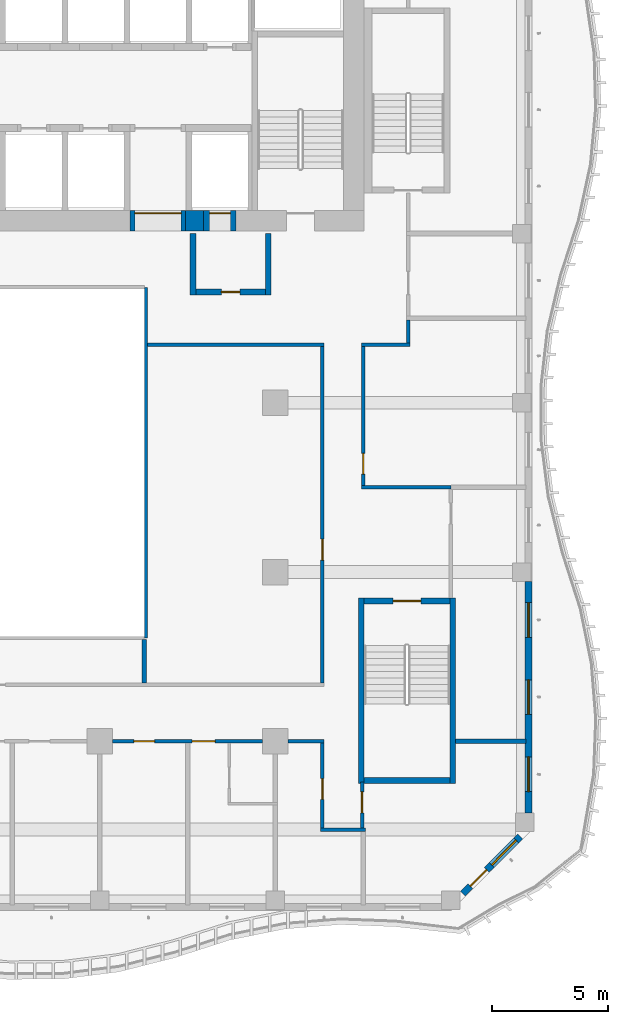
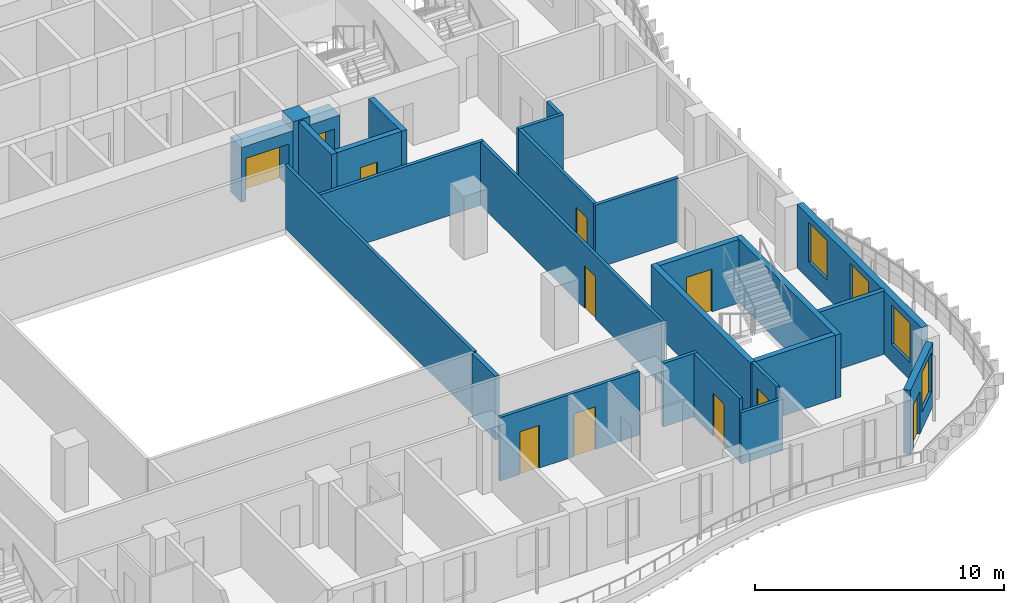
# One storey, part 5 of 21: 26 walls, 11 doors, 4 windows, 15 openings.
"""IFC4 building model written with IfcOpenShell, lengths in metres."""

from ifc_helpers import new_model, si_unit, direction, frame, frame_2d, origin, place, context, subcontext, project, spatial, rectangle, extrude, source, transform, mapped, material, layer, layer_set, type_object, element, fill, save


model = new_model("IFC4")

# Units and contexts
model_context = context("Model", 3, precision=1e-05, world=origin(), true_north=direction((0.0, 1.0)))
body_context = subcontext(model_context, "Body", "Model", "MODEL_VIEW")
ifc_project = project(units=[si_unit("LENGTHUNIT", "METRE"), si_unit("AREAUNIT", "SQUARE_METRE"), si_unit("VOLUMEUNIT", "CUBIC_METRE"), si_unit("PLANEANGLEUNIT", "RADIAN"), si_unit("MASSUNIT", "GRAM", prefix="KILO")], contexts=[model_context])

# Site, building, storey
site_placement = place(None, origin())
site = spatial("IfcSite", under=ifc_project, at=site_placement, CompositionType="ELEMENT")
building_placement = place(site_placement, origin())
building = spatial("IfcBuilding", under=site, at=building_placement, Name="Kilnfold Tower and Market Hall", CompositionType="ELEMENT")
storey_placement = place(building_placement, frame((0.0, 0.0, 147.300048828125)))
storey = spatial("IfcBuildingStorey", under=building, at=storey_placement, Name="L33", CompositionType="ELEMENT", Elevation=147.300048828125)

# Wall
ifc_material_1 = material(Name="Fire-resisting glazed screen")
ifc_layer_1 = layer(ifc_material_1, 0.14990234375)
ifc_layer_set_1 = layer_set([ifc_layer_1], Name="Fire-resisting glazed screen")
wall_type_1 = type_object("IfcWallType", Name="WALL ATRIUM 150", PredefinedType="PARTITIONING", material=ifc_layer_set_1)
wall_1_placement = place(storey_placement, frame((8.574951171875, 5.675048828125, 0.0), z_axis=(0.0, 0.0, 1.0), x_axis=(0.0, -1.0, 0.0)))
element("IfcWall", 1, at=wall_1_placement, inside=storey, type_object=wall_type_1, Name="Partition LY21.131", PredefinedType="PARTITIONING", context=body_context, shape_type="SweptSolid", body=[
    extrude(rectangle(XDim=15.150146484375, YDim=0.14990234375, at=frame_2d((7.5751953125, 0.0))), origin(), (0.0, 0.0, 1.0), 3.119873046875),
])

# Wall, openings, doors
ifc_material_2 = material(Name="Gypsum board on steel studs", Category="steel")
ifc_layer_2 = layer(ifc_material_2, 0.14990234375)
ifc_layer_set_2 = layer_set([ifc_layer_2], Name="Gypsum board on steel studs")
wall_type_2 = type_object("IfcWallType", Name="WALL CORRIDOR 150", PredefinedType="PARTITIONING", material=ifc_layer_set_2)
wall_2_placement = place(storey_placement, frame((7.133056640625, -13.93798828125, 0.0), z_axis=(0.0, 0.0, 1.0), x_axis=(1.0, 0.0, 0.0)))
wall_2 = element("IfcWall", 2, at=wall_2_placement, inside=storey, type_object=wall_type_2, Name="Partition LY21.5", PredefinedType="PARTITIONING", context=body_context, shape_type="SweptSolid", body=[
    extrude(rectangle(XDim=6.48388671875, YDim=0.14990234375, at=frame_2d((3.241943359375, 0.0))), origin(), (0.0, 0.0, 1.0), 3.119873046875),
])
opening_1_placement = place(wall_2_placement, frame((0.9189453125, 0.0, 0.0)))
opening_1 = element("IfcOpeningElement", 3, at=opening_1_placement, cuts=wall_2, Name="Opening D2", PredefinedType="OPENING", context=body_context, shape_type="SweptSolid", body=[
    extrude(rectangle(XDim=0.89990234375, YDim=2.10009765625, at=frame_2d((0.449951171875, 1.050048828125))), frame((0.0, 0.0849609375, 0.0), z_axis=(0.0, -1.0, 0.0), x_axis=(1.0, 0.0, 0.0)), (0.0, 0.0, 1.0), 0.169921875),
])
opening_2_placement = place(wall_2_placement, frame((3.431884765625, 0.0, 0.0)))
opening_2 = element("IfcOpeningElement", 4, at=opening_2_placement, cuts=wall_2, Name="Opening D1", PredefinedType="OPENING", context=body_context, shape_type="SweptSolid", body=[
    extrude(rectangle(XDim=1.0, YDim=2.10009765625, at=frame_2d((0.5, 1.050048828125))), frame((0.0, 0.0849609375, 0.0), z_axis=(0.0, -1.0, 0.0), x_axis=(1.0, 0.0, 0.0)), (0.0, 0.0, 1.0), 0.169921875),
])
ifc_material_3 = material(Name="Timber veneer door leaf in steel frame", Category="steel")
door_type_1 = type_object("IfcDoorType", Name="DOOR ENTRY 1000 X2100", OperationType="NOTDEFINED", PredefinedType="DOOR", material=ifc_material_3)
door_1_placement = place(opening_2_placement, origin())
door_1 = element("IfcDoor", 5, at=door_1_placement, inside=storey, type_object=door_type_1, Name="Door D1", OperationType="SINGLE_SWING_LEFT", OverallHeight=2.10009765625, OverallWidth=1.0, PredefinedType="DOOR", context=body_context, shape_type="SweptSolid", body=[
    extrude(rectangle(XDim=1.0, YDim=2.10009765625, at=frame_2d((0.5, 1.050048828125))), frame((0.0, 0.02490234375, 0.0), z_axis=(0.0, -1.0, 0.0), x_axis=(1.0, 0.0, 0.0)), (0.0, 0.0, 1.0), 0.050048828125),
])
fill(opening_2, door_1)
ifc_material_4 = material(Name="Timber veneer door leaf in steel frame", Category="steel")
door_type_2 = type_object("IfcDoorType", Name="DOOR ROOM 900 X2100", OperationType="NOTDEFINED", PredefinedType="DOOR", material=ifc_material_4)
door_2_placement = place(opening_1_placement, origin())
door_2 = element("IfcDoor", 6, at=door_2_placement, inside=storey, type_object=door_type_2, Name="Door D2", OperationType="SINGLE_SWING_RIGHT", OverallHeight=2.10009765625, OverallWidth=0.89990234375, PredefinedType="DOOR", context=body_context, shape_type="SweptSolid", body=[
    extrude(rectangle(XDim=0.89990234375, YDim=2.10009765625, at=frame_2d((0.449951171875, 1.050048828125))), frame((0.0, 0.02490234375, 0.0), z_axis=(0.0, -1.0, 0.0), x_axis=(1.0, 0.0, 0.0)), (0.0, 0.0, 1.0), 0.050048828125),
])
fill(opening_1, door_2)

# Wall
wall_3_placement = place(storey_placement, frame((16.125, -17.75, 0.0), z_axis=(0.0, 0.0, 1.0), x_axis=(1.0, 0.0, 0.0)))
element("IfcWall", 7, at=wall_3_placement, inside=storey, type_object=wall_type_2, Name="Partition LY21.6", PredefinedType="PARTITIONING", context=body_context, shape_type="SweptSolid", body=[
    extrude(rectangle(XDim=1.93408203125, YDim=0.14990234375, at=frame_2d((0.967041015625, 0.0))), origin(), (0.0, 0.0, 1.0), 2.52001953125),
])

# Wall, opening, door
wall_4_placement = place(storey_placement, frame((16.199951171875, -17.675048828125, 0.0), z_axis=(0.0, 0.0, 1.0), x_axis=(0.0, 1.0, 0.0)))
wall_4 = element("IfcWall", 8, at=wall_4_placement, inside=storey, type_object=wall_type_2, Name="Partition LY21.7", PredefinedType="PARTITIONING", context=body_context, shape_type="SweptSolid", body=[
    extrude(rectangle(XDim=3.662109375, YDim=0.14990234375, at=frame_2d((1.8310546875, 0.0))), origin(), (0.0, 0.0, 1.0), 3.119873046875),
])
opening_3_placement = place(wall_4_placement, frame((1.22705078125, 0.0, 0.0)))
opening_3 = element("IfcOpeningElement", 9, at=opening_3_placement, cuts=wall_4, Name="Opening D2", PredefinedType="OPENING", context=body_context, shape_type="SweptSolid", body=[
    extrude(rectangle(XDim=0.89990234375, YDim=2.10009765625, at=frame_2d((0.449951171875, 1.050048828125))), frame((0.0, 0.0849609375, 0.0), z_axis=(0.0, -1.0, 0.0), x_axis=(1.0, 0.0, 0.0)), (0.0, 0.0, 1.0), 0.169921875),
])
door_3_placement = place(opening_3_placement, origin())
door_3 = element("IfcDoor", 10, at=door_3_placement, inside=storey, type_object=door_type_2, Name="Door D2", OperationType="SINGLE_SWING_RIGHT", OverallHeight=2.10009765625, OverallWidth=0.89990234375, PredefinedType="DOOR", context=body_context, shape_type="SweptSolid", body=[
    extrude(rectangle(XDim=0.89990234375, YDim=2.10009765625, at=frame_2d((0.449951171875, 1.050048828125))), frame((0.0, 0.02490234375, 0.0), z_axis=(0.0, -1.0, 0.0), x_axis=(1.0, 0.0, 0.0)), (0.0, 0.0, 1.0), 0.050048828125),
])
fill(opening_3, door_3)

# Wall
wall_5_placement = place(storey_placement, frame((14.717041015625, -13.93798828125, 0.0), z_axis=(0.0, 0.0, 1.0), x_axis=(1.0, 0.0, 0.0)))
element("IfcWall", 11, at=wall_5_placement, inside=storey, type_object=wall_type_2, Name="Partition LY21.8", PredefinedType="PARTITIONING", context=body_context, shape_type="SweptSolid", body=[
    extrude(rectangle(XDim=1.557861328125, YDim=0.14990234375, at=frame_2d((0.77880859375, 0.0))), origin(), (0.0, 0.0, 1.0), 3.119873046875),
])

# Wall, opening, door
wall_6_placement = place(storey_placement, frame((17.908935546875, -17.675048828125, 0.0), z_axis=(0.0, 0.0, 1.0), x_axis=(0.0, 1.0, 0.0)))
wall_6 = element("IfcWall", 12, at=wall_6_placement, inside=storey, type_object=wall_type_2, Name="Partition LY21.9", PredefinedType="PARTITIONING", context=body_context, shape_type="SweptSolid", body=[
    extrude(rectangle(XDim=1.97509765625, YDim=0.14990234375, at=frame_2d((0.987548828125, 0.0))), origin(), (0.0, 0.0, 1.0), 3.119873046875),
])
opening_4_placement = place(wall_6_placement, frame((0.64990234375, 0.0, 0.0)))
opening_4 = element("IfcOpeningElement", 13, at=opening_4_placement, cuts=wall_6, Name="Opening D2", PredefinedType="OPENING", context=body_context, shape_type="SweptSolid", body=[
    extrude(rectangle(XDim=0.89990234375, YDim=2.10009765625, at=frame_2d((0.449951171875, 1.050048828125))), frame((0.0, 0.0849609375, 0.0), z_axis=(0.0, -1.0, 0.0), x_axis=(1.0, 0.0, 0.0)), (0.0, 0.0, 1.0), 0.169921875),
])
door_4_placement = place(opening_4_placement, origin())
door_4 = element("IfcDoor", 14, at=door_4_placement, inside=storey, type_object=door_type_2, Name="Door D2", OperationType="SINGLE_SWING_LEFT", OverallHeight=2.10009765625, OverallWidth=0.89990234375, PredefinedType="DOOR", context=body_context, shape_type="SweptSolid", body=[
    extrude(rectangle(XDim=0.89990234375, YDim=2.10009765625, at=frame_2d((0.449951171875, 1.050048828125))), frame((0.0, 0.02490234375, 0.0), z_axis=(0.0, -1.0, 0.0), x_axis=(1.0, 0.0, 0.0)), (0.0, 0.0, 1.0), 0.050048828125),
])
fill(opening_4, door_4)

# Walls
wall_7_placement = place(storey_placement, frame((19.89990234375, 3.27490234375, 0.0), z_axis=(0.0, 0.0, 1.0), x_axis=(0.0, 1.0, 0.0)))
element("IfcWall", 15, at=wall_7_placement, inside=storey, type_object=wall_type_2, Name="Partition LY21.31", PredefinedType="PARTITIONING", context=body_context, shape_type="SweptSolid", body=[
    extrude(rectangle(XDim=0.97900390625, YDim=0.14990234375, at=frame_2d((0.489501953125, 0.0))), origin(), (0.0, 0.0, 1.0), 3.119873046875),
])
wall_8_placement = place(storey_placement, frame((17.884033203125, 3.199951171875, 0.0), z_axis=(0.0, 0.0, 1.0), x_axis=(1.0, 0.0, 0.0)))
element("IfcWall", 16, at=wall_8_placement, inside=storey, type_object=wall_type_2, Name="Partition LY21.32", PredefinedType="PARTITIONING", context=body_context, shape_type="SweptSolid", body=[
    extrude(rectangle(XDim=2.091064453125, YDim=0.14990234375, at=frame_2d((1.04541015625, 0.0))), origin(), (0.0, 0.0, 1.0), 3.119873046875),
])

# Wall, opening, door
wall_9_placement = place(storey_placement, frame((17.958984375, -2.89404296875, 0.0), z_axis=(0.0, 0.0, 1.0), x_axis=(0.0, 1.0, 0.0)))
wall_9 = element("IfcWall", 17, at=wall_9_placement, inside=storey, type_object=wall_type_2, Name="Partition LY21.33", PredefinedType="PARTITIONING", context=body_context, shape_type="SweptSolid", body=[
    extrude(rectangle(XDim=6.01904296875, YDim=0.14990234375, at=frame_2d((3.009521484375, 0.0))), origin(), (0.0, 0.0, 1.0), 3.119873046875),
])
opening_5_placement = place(wall_9_placement, frame((0.5009765625, 0.0, 0.0)))
opening_5 = element("IfcOpeningElement", 18, at=opening_5_placement, cuts=wall_9, Name="Opening D2", PredefinedType="OPENING", context=body_context, shape_type="SweptSolid", body=[
    extrude(rectangle(XDim=0.89990234375, YDim=2.10009765625, at=frame_2d((0.449951171875, 1.050048828125))), frame((0.0, 0.0849609375, 0.0), z_axis=(0.0, -1.0, 0.0), x_axis=(1.0, 0.0, 0.0)), (0.0, 0.0, 1.0), 0.169921875),
])
door_5_placement = place(opening_5_placement, origin())
door_5 = element("IfcDoor", 19, at=door_5_placement, inside=storey, type_object=door_type_2, Name="Door D2", OperationType="SINGLE_SWING_RIGHT", OverallHeight=2.10009765625, OverallWidth=0.89990234375, PredefinedType="DOOR", context=body_context, shape_type="SweptSolid", body=[
    extrude(rectangle(XDim=0.89990234375, YDim=2.10009765625, at=frame_2d((0.449951171875, 1.050048828125))), frame((0.0, 0.02490234375, 0.0), z_axis=(0.0, -1.0, 0.0), x_axis=(1.0, 0.0, 0.0)), (0.0, 0.0, 1.0), 0.050048828125),
])
fill(opening_5, door_5)

# Wall
wall_10_placement = place(storey_placement, frame((21.7509765625, -2.968994140625, 0.0), z_axis=(0.0, 0.0, 1.0), x_axis=(-1.0, 0.0, 0.0)))
element("IfcWall", 20, at=wall_10_placement, inside=storey, type_object=wall_type_2, Name="Partition LY21.34", PredefinedType="PARTITIONING", context=body_context, shape_type="SweptSolid", body=[
    extrude(rectangle(XDim=3.866943359375, YDim=0.14990234375, at=frame_2d((1.93359375, 0.0))), origin(), (0.0, 0.0, 1.0), 3.119873046875),
])

# Wall, opening, door
wall_11_placement = place(storey_placement, frame((16.199951171875, -11.425048828125, 0.0), z_axis=(0.0, 0.0, 1.0), x_axis=(0.0, 1.0, 0.0)))
wall_11 = element("IfcWall", 21, at=wall_11_placement, inside=storey, type_object=wall_type_2, Name="Partition LY21.43", PredefinedType="PARTITIONING", context=body_context, shape_type="SweptSolid", body=[
    extrude(rectangle(XDim=14.550048828125, YDim=0.14990234375, at=frame_2d((7.27490234375, 0.0))), origin(), (0.0, 0.0, 1.0), 3.119873046875),
])
opening_6_placement = place(wall_11_placement, frame((5.319091796875, 0.0, 0.0)))
opening_6 = element("IfcOpeningElement", 22, at=opening_6_placement, cuts=wall_11, Name="Opening D2", PredefinedType="OPENING", context=body_context, shape_type="SweptSolid", body=[
    extrude(rectangle(XDim=0.89990234375, YDim=2.10009765625, at=frame_2d((0.449951171875, 1.050048828125))), frame((0.0, 0.0849609375, 0.0), z_axis=(0.0, -1.0, 0.0), x_axis=(1.0, 0.0, 0.0)), (0.0, 0.0, 1.0), 0.169921875),
])
door_6_placement = place(opening_6_placement, origin())
door_6 = element("IfcDoor", 23, at=door_6_placement, inside=storey, type_object=door_type_2, Name="Door D2", OperationType="SINGLE_SWING_RIGHT", OverallHeight=2.10009765625, OverallWidth=0.89990234375, PredefinedType="DOOR", context=body_context, shape_type="SweptSolid", body=[
    extrude(rectangle(XDim=0.89990234375, YDim=2.10009765625, at=frame_2d((0.449951171875, 1.050048828125))), frame((0.0, 0.02490234375, 0.0), z_axis=(0.0, -1.0, 0.0), x_axis=(1.0, 0.0, 0.0)), (0.0, 0.0, 1.0), 0.050048828125),
])
fill(opening_6, door_6)

# Walls
wall_12_placement = place(storey_placement, frame((8.64990234375, 3.199951171875, 0.0), z_axis=(0.0, 0.0, 1.0), x_axis=(1.0, 0.0, 0.0)))
element("IfcWall", 24, at=wall_12_placement, inside=storey, type_object=wall_type_2, Name="Partition LY21.44", PredefinedType="PARTITIONING", context=body_context, shape_type="SweptSolid", body=[
    extrude(rectangle(XDim=7.625, YDim=0.14990234375, at=frame_2d((3.8125, 0.0))), origin(), (0.0, 0.0, 1.0), 3.119873046875),
])
ifc_material_5 = material(Name="Gypsum board on steel studs", Category="steel")
ifc_layer_3 = layer(ifc_material_5, 0.199951171875)
ifc_layer_set_3 = layer_set([ifc_layer_3], Name="Gypsum board on steel studs")
wall_type_3 = type_object("IfcWallType", Name="WALL PARTY 200", PredefinedType="PARTITIONING", material=ifc_layer_set_3)
wall_13_placement = place(storey_placement, frame((25.0, -13.93798828125, 0.0), z_axis=(0.0, 0.0, 1.0), x_axis=(-1.0, 0.0, 0.0)))
element("IfcWall", 25, at=wall_13_placement, inside=storey, type_object=wall_type_3, Name="Partition LY21.64", PredefinedType="PARTITIONING", context=body_context, shape_type="SweptSolid", body=[
    extrude(rectangle(XDim=3.050048828125, YDim=0.199951171875, at=frame_2d((1.52490234375, 0.0))), origin(), (0.0, 0.0, 1.0), 3.119873046875),
])
wall_14_placement = place(storey_placement, frame((8.5, -11.423095703125, 0.0), z_axis=(0.0, 0.0, 1.0), x_axis=(0.0, 1.0, 0.0)))
element("IfcWall", 26, at=wall_14_placement, inside=storey, type_object=wall_type_3, Name="Partition LY21.127", PredefinedType="PARTITIONING", context=body_context, shape_type="SweptSolid", body=[
    extrude(rectangle(XDim=1.873046875, YDim=0.199951171875, at=frame_2d((0.9365234375, 0.0))), origin(), (0.0, 0.0, 1.0), 3.119873046875),
])
ifc_material_6 = material(Name="Concrete C70", Category="concrete")
ifc_layer_4 = layer(ifc_material_6, 0.89990234375)
ifc_layer_set_4 = layer_set([ifc_layer_4], Name="Concrete C70")
wall_type_4 = type_object("IfcWallType", Name="CORE WALL 900 C70", PredefinedType="SHEAR", material=ifc_layer_set_4)
shared_shape_1 = source(origin(), body_context, "Body", "SweptSolid", [
    extrude(rectangle(XDim=0.780029296875, YDim=0.89990234375, at=frame_2d((0.39013671875, 0.0))), origin(), (0.0, 0.0, 1.0), 3.119873046875),
])
wall_15_placement = place(storey_placement, frame((10.2900390625, 8.550048828125, 0.0), z_axis=(0.0, 0.0, 1.0), x_axis=(1.0, 0.0, 0.0)))
element("IfcWall", 27, at=wall_15_placement, inside=storey, type_object=wall_type_4, Name="Core outer wall south", PredefinedType="SHEAR", context=body_context, shape_type="MappedRepresentation", body=[
    mapped(shared_shape_1, transform((0.0, 0.0, 0.0))),
])
ifc_material_7 = material(Name="Concrete C70", Category="concrete")
ifc_layer_5 = layer(ifc_material_7, 0.25)
ifc_layer_set_5 = layer_set([ifc_layer_5], Name="Concrete C70")
wall_type_5 = type_object("IfcWallType", Name="CORE WALL 250 C70", PredefinedType="SHEAR", material=ifc_layer_set_5)
shared_shape_2 = source(origin(), body_context, "Body", "SweptSolid", [
    extrude(rectangle(XDim=3.699951171875, YDim=0.25, at=frame_2d((1.85009765625, 0.0))), origin(), (0.0, 0.0, 1.0), 3.119873046875),
])
wall_16_placement = place(storey_placement, frame((18.0, -15.625, 0.0), z_axis=(0.0, 0.0, 1.0), x_axis=(1.0, 0.0, 0.0)))
element("IfcWall", 28, at=wall_16_placement, inside=storey, type_object=wall_type_5, Name="Stair enclosure ST4", PredefinedType="SHEAR", context=body_context, shape_type="MappedRepresentation", body=[
    mapped(shared_shape_2, transform((0.0, 0.0, 0.0))),
])

# Wall, opening, door
wall_17_placement = place(storey_placement, frame((18.0, -7.875, 0.0), z_axis=(0.0, 0.0, 1.0), x_axis=(1.0, 0.0, 0.0)))
wall_17 = element("IfcWall", 29, at=wall_17_placement, inside=storey, type_object=wall_type_5, Name="Stair enclosure ST4", PredefinedType="SHEAR", context=body_context, shape_type="MappedRepresentation", body=[
    mapped(shared_shape_2, transform((0.0, 0.0, 0.0))),
])
opening_7_placement = place(wall_17_placement, frame((1.25, 0.0, 0.0)))
opening_7 = element("IfcOpeningElement", 30, at=opening_7_placement, cuts=wall_17, Name="Opening SD1", PredefinedType="OPENING", context=body_context, shape_type="SweptSolid", body=[
    extrude(rectangle(XDim=1.199951171875, YDim=2.10009765625, at=frame_2d((0.60009765625, 1.050048828125))), frame((0.0, 0.135009765625, 0.0), z_axis=(0.0, -1.0, 0.0), x_axis=(1.0, 0.0, 0.0)), (0.0, 0.0, 1.0), 0.27001953125),
])
ifc_material_8 = material(Name="Steel door set with fire-resisting leaf", Category="steel")
door_type_3 = type_object("IfcDoorType", Name="STAIR FLOOR DOOR 1200X2100", OperationType="NOTDEFINED", PredefinedType="DOOR", material=ifc_material_8)
door_7_placement = place(opening_7_placement, origin())
door_7 = element("IfcDoor", 31, at=door_7_placement, inside=storey, type_object=door_type_3, Name="Exit stair ST4 door", OperationType="DOUBLE_DOOR_SINGLE_SWING", OverallHeight=2.10009765625, OverallWidth=1.199951171875, PredefinedType="DOOR", context=body_context, shape_type="SweptSolid", body=[
    extrude(rectangle(XDim=1.199951171875, YDim=2.10009765625, at=frame_2d((0.60009765625, 1.050048828125))), frame((0.0, 0.02490234375, 0.0), z_axis=(0.0, -1.0, 0.0), x_axis=(1.0, 0.0, 0.0)), (0.0, 0.0, 1.0), 0.050048828125),
])
fill(opening_7, door_7)

# Walls
shared_shape_3 = source(origin(), body_context, "Body", "SweptSolid", [
    extrude(rectangle(XDim=8.0, YDim=0.25, at=frame_2d((4.0, 0.0))), origin(), (0.0, 0.0, 1.0), 3.119873046875),
])
for number, where, z_axis, x_axis, name in (
    (32, (17.875, -15.75, 0.0), (0.0, 0.0, 1.0), (0.0, 1.0, 0.0), "Stair enclosure ST4"),
    (33, (21.824951171875, -15.75, 0.0), (0.0, 0.0, 1.0), (0.0, 1.0, 0.0), "Stair enclosure ST4"),
):
    element("IfcWall", number, at=place(storey_placement, frame(where, z_axis=z_axis, x_axis=x_axis)), inside=storey, type_object=wall_type_5, Name=name, PredefinedType="SHEAR", context=body_context, shape_type="MappedRepresentation", body=[
        mapped(shared_shape_3, transform((0.0, 0.0, 0.0))),
    ])

# Wall, openings, door, window
ifc_material_9 = material(Name="Precast concrete C50/60", Category="concrete")
ifc_layer_6 = layer(ifc_material_9, 0.300048828125)
ifc_layer_set_6 = layer_set([ifc_layer_6], Name="Precast concrete C50/60")
wall_type_6 = type_object("IfcWallType", Name="PRECAST WALL 300", PredefinedType="SOLIDWALL", material=ifc_layer_set_6)
shared_shape_4 = source(origin(), body_context, "Body", "SweptSolid", [
    extrude(rectangle(XDim=3.500244140625, YDim=0.300048828125, at=frame_2d((1.75, 0.0))), origin(), (0.0, 0.0, 1.0), 3.119873046875),
])
wall_18_placement = place(storey_placement, frame((22.268798828125, -20.518798828125, 0.0), z_axis=(0.0, 0.0, 1.0), x_axis=(0.707141656123, 0.70707190453, 0.0)))
wall_18 = element("IfcWall", 34, at=wall_18_placement, inside=storey, type_object=wall_type_6, Name="External wall L33 SE", PredefinedType="SOLIDWALL", context=body_context, shape_type="MappedRepresentation", body=[
    mapped(shared_shape_4, transform((0.0, 0.0, 0.0))),
])
opening_8_placement = place(wall_18_placement, frame((1.75, 0.0, 0.85009765625)))
opening_8 = element("IfcOpeningElement", 35, at=opening_8_placement, cuts=wall_18, Name="Opening W4", PredefinedType="OPENING", context=body_context, shape_type="SweptSolid", body=[
    extrude(rectangle(XDim=1.5, YDim=1.949951171875, at=frame_2d((0.75, 0.97509765625))), frame((0.0, 0.16015625, 0.0), z_axis=(0.0, -1.0, 0.0), x_axis=(1.0, 0.0, 0.0)), (0.0, 0.0, 1.0), 0.320068359375),
])
opening_9_placement = place(wall_18_placement, frame((0.449951171875, 0.0, 0.0)))
opening_9 = element("IfcOpeningElement", 36, at=opening_9_placement, cuts=wall_18, Name="Opening BD1", PredefinedType="OPENING", context=body_context, shape_type="SweptSolid", body=[
    extrude(rectangle(XDim=1.0, YDim=2.10009765625, at=frame_2d((0.5, 1.050048828125))), frame((0.0, 0.16015625, 0.0), z_axis=(0.0, -1.0, 0.0), x_axis=(1.0, 0.0, 0.0)), (0.0, 0.0, 1.0), 0.320068359375),
])
ifc_material_10 = material(Name="Aluminium frame and double glazing", Category="aluminium")
door_type_4 = type_object("IfcDoorType", Name="BALCONY DOOR 1000X2100", OperationType="NOTDEFINED", PredefinedType="DOOR", material=ifc_material_10)
door_8_placement = place(opening_9_placement, origin())
door_8 = element("IfcDoor", 37, at=door_8_placement, inside=storey, type_object=door_type_4, Name="Balcony door BD1 L33 SE-1", OperationType="SINGLE_SWING_LEFT", OverallHeight=2.10009765625, OverallWidth=1.0, PredefinedType="DOOR", context=body_context, shape_type="SweptSolid", body=[
    extrude(rectangle(XDim=1.0, YDim=2.10009765625, at=frame_2d((0.5, 1.050048828125))), frame((0.0, 0.02490234375, 0.0), z_axis=(0.0, -1.0, 0.0), x_axis=(1.0, 0.0, 0.0)), (0.0, 0.0, 1.0), 0.050048828125),
])
fill(opening_9, door_8)
ifc_material_11 = material(Name="Aluminium frame and double glazing", Category="aluminium")
window_type = type_object("IfcWindowType", Name="WINDOW W4 1500X1950", PartitioningType="SINGLE_PANEL", PredefinedType="WINDOW", material=ifc_material_11)
window_1_placement = place(opening_8_placement, origin())
window_1 = element("IfcWindow", 38, at=window_1_placement, inside=storey, type_object=window_type, Name="Window W4 L33 SE-1", OverallHeight=1.949951171875, OverallWidth=1.5, PartitioningType="SINGLE_PANEL", PredefinedType="WINDOW", context=body_context, shape_type="SweptSolid", body=[
    extrude(rectangle(XDim=1.5, YDim=1.949951171875, at=frame_2d((0.75, 0.97509765625))), frame((0.0, 0.030029296875, 0.0), z_axis=(0.0, -1.0, 0.0), x_axis=(1.0, 0.0, 0.0)), (0.0, 0.0, 1.0), 0.06005859375),
])
fill(opening_8, window_1)

# Wall, openings, windows
shared_shape_5 = source(origin(), body_context, "Body", "SweptSolid", [
    extrude(rectangle(XDim=10.0068359375, YDim=0.300048828125, at=frame_2d((5.00341796875, 0.0))), origin(), (0.0, 0.0, 1.0), 3.119873046875),
])
wall_19_placement = place(storey_placement, frame((25.10009765625, -17.03173828125, 0.0), z_axis=(0.0, 0.0, 1.0), x_axis=(0.0, 1.0, 0.0)))
wall_19 = element("IfcWall", 39, at=wall_19_placement, inside=storey, type_object=wall_type_6, Name="External wall L33 E", PredefinedType="SOLIDWALL", context=body_context, shape_type="MappedRepresentation", body=[
    mapped(shared_shape_5, transform((0.0, 0.0, 0.0))),
])
opening_10_placement = place(wall_19_placement, frame((0.917724609375, 0.0, 0.85009765625)))
opening_10 = element("IfcOpeningElement", 40, at=opening_10_placement, cuts=wall_19, Name="Opening W4", PredefinedType="OPENING", context=body_context, shape_type="SweptSolid", body=[
    extrude(rectangle(XDim=1.5, YDim=1.949951171875, at=frame_2d((0.75, 0.97509765625))), frame((0.0, 0.16015625, 0.0), z_axis=(0.0, -1.0, 0.0), x_axis=(1.0, 0.0, 0.0)), (0.0, 0.0, 1.0), 0.320068359375),
])
opening_11_placement = place(wall_19_placement, frame((4.25341796875, 0.0, 0.85009765625)))
opening_11 = element("IfcOpeningElement", 41, at=opening_11_placement, cuts=wall_19, Name="Opening W4", PredefinedType="OPENING", context=body_context, shape_type="SweptSolid", body=[
    extrude(rectangle(XDim=1.5, YDim=1.949951171875, at=frame_2d((0.75, 0.97509765625))), frame((0.0, 0.16015625, 0.0), z_axis=(0.0, -1.0, 0.0), x_axis=(1.0, 0.0, 0.0)), (0.0, 0.0, 1.0), 0.320068359375),
])
opening_12_placement = place(wall_19_placement, frame((7.589111328125, 0.0, 0.85009765625)))
opening_12 = element("IfcOpeningElement", 42, at=opening_12_placement, cuts=wall_19, Name="Opening W4", PredefinedType="OPENING", context=body_context, shape_type="SweptSolid", body=[
    extrude(rectangle(XDim=1.5, YDim=1.949951171875, at=frame_2d((0.75, 0.97509765625))), frame((0.0, 0.16015625, 0.0), z_axis=(0.0, -1.0, 0.0), x_axis=(1.0, 0.0, 0.0)), (0.0, 0.0, 1.0), 0.320068359375),
])
window_2_placement = place(opening_10_placement, origin())
window_2 = element("IfcWindow", 43, at=window_2_placement, inside=storey, type_object=window_type, Name="Window W4 L33 E-1", OverallHeight=1.949951171875, OverallWidth=1.5, PartitioningType="SINGLE_PANEL", PredefinedType="WINDOW", context=body_context, shape_type="SweptSolid", body=[
    extrude(rectangle(XDim=1.5, YDim=1.949951171875, at=frame_2d((0.75, 0.97509765625))), frame((0.0, 0.030029296875, 0.0), z_axis=(0.0, -1.0, 0.0), x_axis=(1.0, 0.0, 0.0)), (0.0, 0.0, 1.0), 0.06005859375),
])
fill(opening_10, window_2)
window_3_placement = place(opening_11_placement, origin())
window_3 = element("IfcWindow", 44, at=window_3_placement, inside=storey, type_object=window_type, Name="Window W4 L33 E-2", OverallHeight=1.949951171875, OverallWidth=1.5, PartitioningType="SINGLE_PANEL", PredefinedType="WINDOW", context=body_context, shape_type="SweptSolid", body=[
    extrude(rectangle(XDim=1.5, YDim=1.949951171875, at=frame_2d((0.75, 0.97509765625))), frame((0.0, 0.030029296875, 0.0), z_axis=(0.0, -1.0, 0.0), x_axis=(1.0, 0.0, 0.0)), (0.0, 0.0, 1.0), 0.06005859375),
])
fill(opening_11, window_3)
window_4_placement = place(opening_12_placement, origin())
window_4 = element("IfcWindow", 45, at=window_4_placement, inside=storey, type_object=window_type, Name="Window W4 L33 E-3", OverallHeight=1.949951171875, OverallWidth=1.5, PartitioningType="SINGLE_PANEL", PredefinedType="WINDOW", context=body_context, shape_type="SweptSolid", body=[
    extrude(rectangle(XDim=1.5, YDim=1.949951171875, at=frame_2d((0.75, 0.97509765625))), frame((0.0, 0.030029296875, 0.0), z_axis=(0.0, -1.0, 0.0), x_axis=(1.0, 0.0, 0.0)), (0.0, 0.0, 1.0), 0.06005859375),
])
fill(opening_12, window_4)

# Wall, opening, door
ifc_material_12 = material(Name="Gypsum shaft wall system")
ifc_layer_7 = layer(ifc_material_12, 0.89990234375)
ifc_layer_set_7 = layer_set([ifc_layer_7], Name="Gypsum shaft wall system")
wall_type_7 = type_object("IfcWallType", Name="LOBBY WALL 900", PredefinedType="PARTITIONING", material=ifc_layer_set_7)
shared_shape_6 = source(origin(), body_context, "Body", "SweptSolid", [
    extrude(rectangle(XDim=1.39990234375, YDim=0.89990234375, at=frame_2d((0.699951171875, 0.0))), origin(), (0.0, 0.0, 1.0), 2.699951171875),
])
wall_20_placement = place(storey_placement, frame((11.070068359375, 8.550048828125, 0.0), z_axis=(0.0, 0.0, 1.0), x_axis=(1.0, 0.0, 0.0)))
wall_20 = element("IfcWall", 46, at=wall_20_placement, inside=storey, type_object=wall_type_7, Name="Core wall infill", PredefinedType="PARTITIONING", context=body_context, shape_type="MappedRepresentation", body=[
    mapped(shared_shape_6, transform((0.0, 0.0, 0.0))),
])
opening_13_placement = place(wall_20_placement, frame((0.25, 0.0, 0.0)))
opening_13 = element("IfcOpeningElement", 47, at=opening_13_placement, cuts=wall_20, Name="Opening LD1", PredefinedType="OPENING", context=body_context, shape_type="SweptSolid", body=[
    extrude(rectangle(XDim=0.89990234375, YDim=2.10009765625, at=frame_2d((0.449951171875, 1.050048828125))), frame((0.0, 0.4599609375, 0.0), z_axis=(0.0, -1.0, 0.0), x_axis=(1.0, 0.0, 0.0)), (0.0, 0.0, 1.0), 0.919921875),
])
ifc_material_13 = material(Name="Steel door set with fire-resisting leaf", Category="steel")
door_type_5 = type_object("IfcDoorType", Name="FIREFIGHTING LANDING DOOR 900X2100", OperationType="NOTDEFINED", PredefinedType="DOOR", material=ifc_material_13)
door_9_placement = place(opening_13_placement, origin())
door_9 = element("IfcDoor", 48, at=door_9_placement, inside=storey, type_object=door_type_5, Name="Landing door FF3", OperationType="SLIDING_TO_LEFT", OverallHeight=2.10009765625, OverallWidth=0.89990234375, PredefinedType="DOOR", context=body_context, shape_type="SweptSolid", body=[
    extrude(rectangle(XDim=0.89990234375, YDim=2.10009765625, at=frame_2d((0.449951171875, 1.050048828125))), frame((0.0, 0.35498046875, 0.0), z_axis=(0.0, -1.0, 0.0), x_axis=(1.0, 0.0, 0.0)), (0.0, 0.0, 1.0), 0.050048828125),
])
fill(opening_13, door_9)

shared_shape_7 = source(origin(), body_context, "Body", "SweptSolid", [
    extrude(rectangle(XDim=2.400146484375, YDim=0.89990234375, at=frame_2d((1.2001953125, 0.0))), origin(), (0.0, 0.0, 1.0), 2.699951171875),
])
wall_21_placement = place(storey_placement, frame((7.889892578125, 8.550048828125, 0.0), z_axis=(0.0, 0.0, 1.0), x_axis=(1.0, 0.0, 0.0)))
wall_21 = element("IfcWall", 49, at=wall_21_placement, inside=storey, type_object=wall_type_7, Name="Core wall infill", PredefinedType="PARTITIONING", context=body_context, shape_type="MappedRepresentation", body=[
    mapped(shared_shape_7, transform((0.0, 0.0, 0.0))),
])
opening_14_placement = place(wall_21_placement, frame((0.199951171875, 0.0, 0.0)))
opening_14 = element("IfcOpeningElement", 50, at=opening_14_placement, cuts=wall_21, Name="Opening VD2", PredefinedType="OPENING", context=body_context, shape_type="SweptSolid", body=[
    extrude(rectangle(XDim=2.0, YDim=2.10009765625, at=frame_2d((1.0, 1.050048828125))), frame((0.0, 0.4599609375, 0.0), z_axis=(0.0, -1.0, 0.0), x_axis=(1.0, 0.0, 0.0)), (0.0, 0.0, 1.0), 0.919921875),
])
ifc_material_14 = material(Name="Steel door set with fire-resisting leaf", Category="steel")
door_type_6 = type_object("IfcDoorType", Name="LIFT LOBBY ENTRANCE DOOR 2000X2100", OperationType="NOTDEFINED", PredefinedType="DOOR", material=ifc_material_14)
door_10_placement = place(opening_14_placement, origin())
door_10 = element("IfcDoor", 51, at=door_10_placement, inside=storey, type_object=door_type_6, Name="Lift lobby entrance door", OperationType="DOUBLE_DOOR_SINGLE_SWING", OverallHeight=2.10009765625, OverallWidth=2.0, PredefinedType="DOOR", context=body_context, shape_type="SweptSolid", body=[
    extrude(rectangle(XDim=2.0, YDim=2.10009765625, at=frame_2d((1.0, 1.050048828125))), frame((0.0, 0.35498046875, 0.0), z_axis=(0.0, -1.0, 0.0), x_axis=(1.0, 0.0, 0.0)), (0.0, 0.0, 1.0), 0.050048828125),
])
fill(opening_14, door_10)

# Walls
ifc_material_15 = material(Name="Gypsum shaft wall system")
ifc_layer_8 = layer(ifc_material_15, 0.25)
ifc_layer_set_8 = layer_set([ifc_layer_8], Name="Gypsum shaft wall system")
wall_type_8 = type_object("IfcWallType", Name="LOBBY WALL 250", PredefinedType="PARTITIONING", material=ifc_layer_set_8)
shared_shape_8 = source(origin(), body_context, "Body", "SweptSolid", [
    extrude(rectangle(XDim=2.64990234375, YDim=0.25, at=frame_2d((1.324951171875, 0.0))), origin(), (0.0, 0.0, 1.0), 3.119873046875),
])
for number, where, z_axis, x_axis, name in (
    (52, (10.60498046875, 5.35009765625, 0.0), (0.0, 0.0, 1.0), (0.0, 1.0, 0.0), "Firefighting lobby wall"),
    (53, (13.85498046875, 5.35009765625, 0.0), (0.0, 0.0, 1.0), (0.0, 1.0, 0.0), "Firefighting lobby wall"),
):
    element("IfcWall", number, at=place(storey_placement, frame(where, z_axis=z_axis, x_axis=x_axis)), inside=storey, type_object=wall_type_8, Name=name, PredefinedType="PARTITIONING", context=body_context, shape_type="MappedRepresentation", body=[
        mapped(shared_shape_8, transform((0.0, 0.0, 0.0))),
    ])

# Wall, opening, door
shared_shape_9 = source(origin(), body_context, "Body", "SweptSolid", [
    extrude(rectangle(XDim=3.0, YDim=0.25, at=frame_2d((1.5, 0.0))), origin(), (0.0, 0.0, 1.0), 3.119873046875),
])
wall_22_placement = place(storey_placement, frame((10.72998046875, 5.47509765625, 0.0), z_axis=(0.0, 0.0, 1.0), x_axis=(1.0, 0.0, 0.0)))
wall_22 = element("IfcWall", 54, at=wall_22_placement, inside=storey, type_object=wall_type_8, Name="Firefighting lobby wall", PredefinedType="PARTITIONING", context=body_context, shape_type="MappedRepresentation", body=[
    mapped(shared_shape_9, transform((0.0, 0.0, 0.0))),
])
opening_15_placement = place(wall_22_placement, frame((1.10009765625, 0.0, 0.0)))
opening_15 = element("IfcOpeningElement", 55, at=opening_15_placement, cuts=wall_22, Name="Opening VD1", PredefinedType="OPENING", context=body_context, shape_type="SweptSolid", body=[
    extrude(rectangle(XDim=0.800048828125, YDim=2.0, at=frame_2d((0.39990234375, 1.0))), frame((0.0, 0.135009765625, 0.0), z_axis=(0.0, -1.0, 0.0), x_axis=(1.0, 0.0, 0.0)), (0.0, 0.0, 1.0), 0.27001953125),
])
ifc_material_16 = material(Name="Steel door set with fire-resisting leaf", Category="steel")
door_type_7 = type_object("IfcDoorType", Name="FIREFIGHTING LOBBY DOOR 800X2000", OperationType="NOTDEFINED", PredefinedType="DOOR", material=ifc_material_16)
door_11_placement = place(opening_15_placement, origin())
door_11 = element("IfcDoor", 56, at=door_11_placement, inside=storey, type_object=door_type_7, Name="Firefighting lobby door", OperationType="SINGLE_SWING_RIGHT", OverallHeight=2.0, OverallWidth=0.800048828125, PredefinedType="DOOR", context=body_context, shape_type="SweptSolid", body=[
    extrude(rectangle(XDim=0.800048828125, YDim=2.0, at=frame_2d((0.39990234375, 1.0))), frame((0.0, 0.02490234375, 0.0), z_axis=(0.0, -1.0, 0.0), x_axis=(1.0, 0.0, 0.0)), (0.0, 0.0, 1.0), 0.050048828125),
])
fill(opening_15, door_11)

save(model, "model.ifc")
